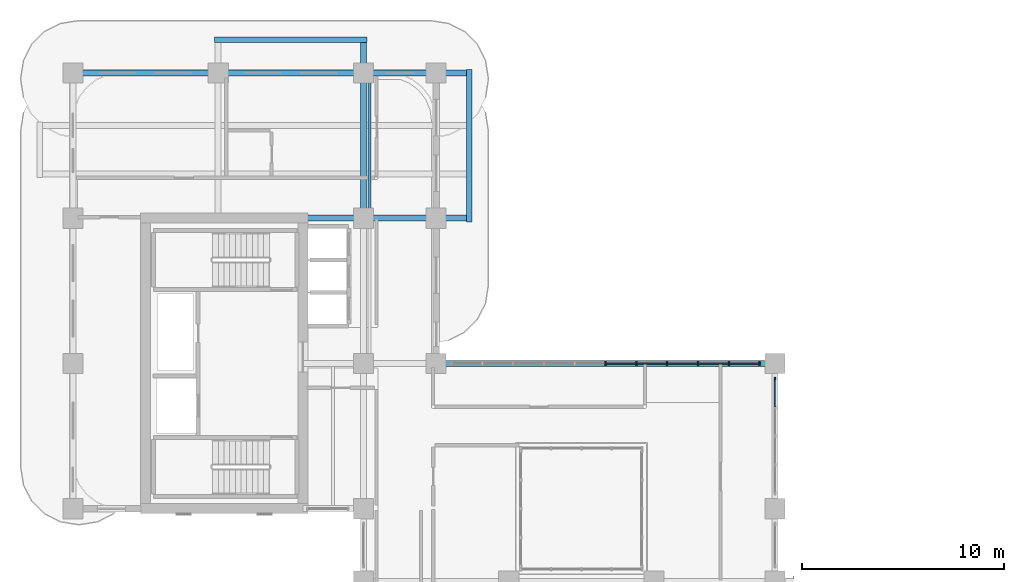
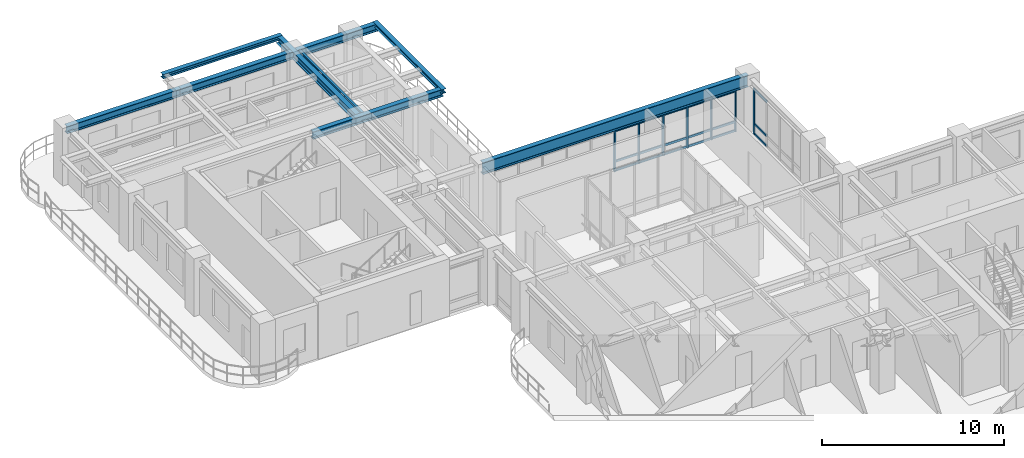
# One storey, part 6 of 21: 25 members, 8 beams, 2 elements without a shape of their own.
"""IFC4 building model written with IfcOpenShell, lengths in metres."""

from ifc_helpers import new_model, si_unit, derived_unit, direction, frame, origin, origin_2d, place, context, subcontext, project, spatial, rectangle, i_section, extrude, source, transform, mapped, material, layer, layer_set, material_profile, profile_set, type_object, type_shapes, element, aggregate, save


model = new_model("IFC4")

# Units and contexts
model_context = context("Model", 3, precision=1e-05, world=origin(), true_north=direction((0.0, 1.0)))
body_context = subcontext(model_context, "Body", "Model", "MODEL_VIEW")
ifc_project = project(units=[si_unit("LENGTHUNIT", "METRE"), si_unit("AREAUNIT", "SQUARE_METRE"), si_unit("VOLUMEUNIT", "CUBIC_METRE"), si_unit("PLANEANGLEUNIT", "RADIAN"), si_unit("MASSUNIT", "GRAM", prefix="KILO"), si_unit("THERMODYNAMICTEMPERATUREUNIT", "KELVIN"), si_unit("POWERUNIT", "WATT"), derived_unit("THERMALTRANSMITTANCEUNIT", [(si_unit("POWERUNIT", "WATT"), 1), (si_unit("AREAUNIT", "SQUARE_METRE"), -1), (si_unit("THERMODYNAMICTEMPERATUREUNIT", "KELVIN"), -1)])], contexts=[model_context])

# Site, building, storey
site_placement = place(None, origin())
site = spatial("IfcSite", under=ifc_project, at=site_placement, CompositionType="ELEMENT")
building_placement = place(site_placement, origin())
building = spatial("IfcBuilding", under=site, at=building_placement, Name="Zahravan Archway Hotel and Residences", CompositionType="ELEMENT")
storey_placement = place(building_placement, frame((0.0, 0.0, 169.550048828125)))
storey = spatial("IfcBuildingStorey", under=building, at=storey_placement, Name="L42", CompositionType="ELEMENT", Elevation=169.550048828125)

# Beams
ifc_material_1 = material(Name="Structural Steel S355JR", Category="steel")
ifc_material_profile_1 = material_profile(ifc_material_1, i_section(OverallWidth=0.280029296875, OverallDepth=0.280029296875, WebThickness=0.010498046875, FlangeThickness=0.01806640625, FilletRadius=0.02392578125, at=origin_2d()), Name="HEB 280", Category="steel")
ifc_profile_set_1 = profile_set([ifc_material_profile_1], Name="Structural Steel S355JR")
beam_type_1 = type_object("IfcBeamType", Name="BM-SPN-HEB280", PredefinedType="SPANDREL", material=ifc_profile_set_1)
shared_shape_1 = source(origin(), body_context, "Body", "SweptSolid", [
    extrude(i_section(OverallWidth=0.280029296875, OverallDepth=0.280029296875, WebThickness=0.010498046875, FlangeThickness=0.01806640625, FilletRadius=0.02392578125, at=origin_2d()), origin(), (0.0, 0.0, 1.0), 7.56005859375),
])
type_shapes(beam_type_1, [shared_shape_1])
for number, where, z_axis, x_axis, name in (
    (1, (19.64990234375, 39.419921875, 3.4599609375), (0.0, 1.0, 0.0), (-1.0, 0.0, 0.0), "L43 EB Balcony Edge Spandrel"),
    (2, (7.02001953125, 48.449951171875, 3.4599609375), (1.0, 0.0, 0.0), (0.0, 1.0, 0.0), "L43 NB Balcony Edge Spandrel"),
):
    element("IfcBeam", number, at=place(storey_placement, frame(where, z_axis=z_axis, x_axis=x_axis)), inside=storey, type_object=beam_type_1, Name=name, PredefinedType="SPANDREL", context=body_context, shape_type="MappedRepresentation", body=[
        mapped(shared_shape_1, transform((0.0, 0.0, 0.0), scale=1.0)),
    ])
ifc_material_2 = material(Name="Structural Steel S355J2", Category="steel")
ifc_material_profile_2 = material_profile(ifc_material_2, i_section(OverallWidth=0.300048828125, OverallDepth=0.800048828125, WebThickness=0.017578125, FlangeThickness=0.032958984375, FilletRadius=0.030029296875, at=origin_2d()), Name="HEB 800", Category="steel")
ifc_profile_set_2 = profile_set([ifc_material_profile_2], Name="Structural Steel S355J2")
beam_type_2 = type_object("IfcBeamType", Name="BM-PRI-HEB800", PredefinedType="BEAM", material=ifc_profile_set_2)
shared_shape_2 = source(origin(), body_context, "Body", "SweptSolid", [
    extrude(i_section(OverallWidth=0.300048828125, OverallDepth=0.800048828125, WebThickness=0.017578125, FlangeThickness=0.032958984375, FilletRadius=0.030029296875, at=origin_2d()), origin(), (0.0, 0.0, 1.0), 16.800048828125),
])
type_shapes(beam_type_2, [shared_shape_2])
beam_1_placement = place(storey_placement, frame((18.0, 32.39990234375, 3.199951171875), z_axis=(1.0, 0.0, 0.0), x_axis=(0.0, 1.0, 0.0)))
element("IfcBeam", 3, at=beam_1_placement, inside=storey, type_object=beam_type_2, Name="L42 Primary Girder EW-18", PredefinedType="BEAM", context=body_context, shape_type="MappedRepresentation", body=[
    mapped(shared_shape_2, transform((0.0, 0.0, 0.0), scale=1.0)),
])
ifc_material_profile_3 = material_profile(ifc_material_1, i_section(OverallWidth=0.300048828125, OverallDepth=0.5, WebThickness=0.014404296875, FlangeThickness=0.028076171875, FilletRadius=0.027099609375, at=origin_2d()), Name="HEB 500", Category="steel")
ifc_profile_set_3 = profile_set([ifc_material_profile_3], Name="Structural Steel S355JR")
beam_type_3 = type_object("IfcBeamType", Name="BM-PRI-HEB500", PredefinedType="BEAM", material=ifc_profile_set_3)
shared_shape_3 = source(origin(), body_context, "Body", "SweptSolid", [
    extrude(i_section(OverallWidth=0.300048828125, OverallDepth=0.5, WebThickness=0.014404296875, FlangeThickness=0.028076171875, FilletRadius=0.027099609375, at=origin_2d()), origin(), (0.0, 0.0, 1.0), 7.199951171875),
])
beam_2_placement = place(storey_placement, frame((0.0, 46.800048828125, 3.349853515625), z_axis=(1.0, 0.0, 0.0), x_axis=(0.0, 1.0, 0.0)))
element("IfcBeam", 4, at=beam_2_placement, inside=storey, type_object=beam_type_3, Name="L42 Primary Girder EW-20", PredefinedType="BEAM", context=body_context, shape_type="MappedRepresentation", body=[
    mapped(shared_shape_3, transform((0.0, 0.0, 0.0), scale=1.0)),
])
shared_shape_4 = source(origin(), body_context, "Body", "SweptSolid", [
    extrude(i_section(OverallWidth=0.300048828125, OverallDepth=0.5, WebThickness=0.014404296875, FlangeThickness=0.028076171875, FilletRadius=0.027099609375, at=origin_2d()), origin(), (0.0, 0.0, 1.0), 8.25),
])
beam_3_placement = place(storey_placement, frame((11.39990234375, 39.60009765625, 3.349853515625), z_axis=(1.0, 0.0, 0.0), x_axis=(0.0, 1.0, 0.0)))
element("IfcBeam", 5, at=beam_3_placement, inside=storey, type_object=beam_type_3, Name="L42 Primary Girder EW-19", PredefinedType="BEAM", context=body_context, shape_type="MappedRepresentation", body=[
    mapped(shared_shape_4, transform((0.0, 0.0, 0.0), scale=1.0)),
])
shared_shape_5 = source(origin(), body_context, "Body", "SweptSolid", [
    extrude(i_section(OverallWidth=0.300048828125, OverallDepth=0.5, WebThickness=0.014404296875, FlangeThickness=0.028076171875, FilletRadius=0.027099609375, at=origin_2d()), origin(), (0.0, 0.0, 1.0), 12.449951171875),
])
beam_4_placement = place(storey_placement, frame((7.199951171875, 46.800048828125, 3.349853515625), z_axis=(1.0, 0.0, 0.0), x_axis=(0.0, 1.0, 0.0)))
element("IfcBeam", 6, at=beam_4_placement, inside=storey, type_object=beam_type_3, Name="L42 Primary Girder EW-21", PredefinedType="BEAM", context=body_context, shape_type="MappedRepresentation", body=[
    mapped(shared_shape_5, transform((0.0, 0.0, 0.0), scale=1.0)),
])
shared_shape_6 = source(origin(), body_context, "Body", "SweptSolid", [
    extrude(i_section(OverallWidth=0.300048828125, OverallDepth=0.5, WebThickness=0.014404296875, FlangeThickness=0.028076171875, FilletRadius=0.027099609375, at=origin_2d()), origin(), (0.0, 0.0, 1.0), 8.849853515625),
])
beam_5_placement = place(storey_placement, frame((14.39990234375, 39.60009765625, 3.349853515625), z_axis=(0.0, 1.0, 0.0), x_axis=(-1.0, 0.0, 0.0)))
element("IfcBeam", 7, at=beam_5_placement, inside=storey, type_object=beam_type_3, Name="L42 Primary Girder NS-34", PredefinedType="BEAM", context=body_context, shape_type="MappedRepresentation", body=[
    mapped(shared_shape_6, transform((0.0, 0.0, 0.0), scale=1.0)),
])
ifc_material_profile_4 = material_profile(ifc_material_1, i_section(OverallWidth=0.14990234375, OverallDepth=0.300048828125, WebThickness=0.007080078125, FlangeThickness=0.0107421875, FilletRadius=0.014892578125, at=origin_2d()), Name="IPE 300", Category="steel")
ifc_profile_set_4 = profile_set([ifc_material_profile_4], Name="Structural Steel S355JR")
beam_type_4 = type_object("IfcBeamType", Name="BM-JST-IPE300", PredefinedType="JOIST", material=ifc_profile_set_4)
shared_shape_7 = source(origin(), body_context, "Body", "SweptSolid", [
    extrude(i_section(OverallWidth=0.14990234375, OverallDepth=0.300048828125, WebThickness=0.007080078125, FlangeThickness=0.0107421875, FilletRadius=0.014892578125, at=origin_2d()), origin(), (0.0, 0.0, 1.0), 6.904052734375),
])
type_shapes(beam_type_4, [shared_shape_7])
beam_6_placement = place(storey_placement, frame((14.699951171875, 39.748046875, 3.449951171875), z_axis=(0.0, 1.0, 0.0), x_axis=(-1.0, 0.0, 0.0)))
element("IfcBeam", 8, at=beam_6_placement, inside=storey, type_object=beam_type_4, Name="L42 Composite Floor Joist 12", PredefinedType="JOIST", context=body_context, shape_type="MappedRepresentation", body=[
    mapped(shared_shape_7, transform((0.0, 0.0, 0.0), scale=1.0)),
])

# Curtain wall, members
ifc_material_3 = material(Name="Bronze-Anodized Unitised Aluminium & Low-E Glass", Category="aluminium")
ifc_layer = layer(ifc_material_3, 0.179931640625, Name="Bronze-Anodized Unitised Aluminium & Low-E Glass", Category="aluminium")
ifc_layer_set = layer_set([ifc_layer], Name="Bronze-Anodized Unitised Aluminium & Low-E Glass")
curtain_wall_type = type_object("IfcCurtainWallType", Name="CW-ATR-GLAZ", PredefinedType="NOTDEFINED", material=ifc_layer_set)
curtain_wall_1_placement = place(storey_placement, origin())
curtain_wall_1 = element("IfcCurtainWall", 9, at=curtain_wall_1_placement, inside=storey, type_object=curtain_wall_type, Name="L42 Curtain Wall CW-L42-HNG-E-2", PredefinedType="NOTDEFINED")
ifc_material_4 = material(Name="Bronze-Anodized Extruded Aluminium", Category="aluminium")
ifc_material_profile_5 = material_profile(ifc_material_4, rectangle(XDim=0.080078125, YDim=0.139892578125, at=origin_2d()), Name="TRN 80x140", Category="aluminium")
ifc_profile_set_5 = profile_set([ifc_material_profile_5], Name="Bronze-Anodized Extruded Aluminium")
member_type_1 = type_object("IfcMemberType", Name="CWM-TRN-140", PredefinedType="USERDEFINED", material=ifc_profile_set_5)
shared_shape_8 = source(origin(), body_context, "Body", "SweptSolid", [
    extrude(rectangle(XDim=0.080078125, YDim=0.139892578125, at=origin_2d()), origin(), (0.0, 0.0, 1.0), 1.340087890625),
])
member_1_placement = place(storey_placement, frame((34.800048828125, 30.260009765625, 0.070068359375), z_axis=(0.0, 1.0, 0.0), x_axis=(-1.0, 0.0, 0.0)))
member_1 = element("IfcMember", 10, at=member_1_placement, type_object=member_type_1, Name="CW-L42-HNG-E-2 Transom 3-1", ObjectType="TRANSOM", PredefinedType="USERDEFINED", context=body_context, shape_type="MappedRepresentation", body=[
    mapped(shared_shape_8, transform((0.0, 0.0, 0.0), scale=1.0)),
])
member_2_placement = place(storey_placement, frame((34.800048828125, 30.260009765625, 0.740234375), z_axis=(0.0, 1.0, 0.0), x_axis=(-1.0, 0.0, 0.0)))
member_2 = element("IfcMember", 11, at=member_2_placement, type_object=member_type_1, Name="CW-L42-HNG-E-2 Transom 3-2", ObjectType="TRANSOM", PredefinedType="USERDEFINED", context=body_context, shape_type="MappedRepresentation", body=[
    mapped(shared_shape_8, transform((0.0, 0.0, 0.0), scale=1.0)),
])
member_3_placement = place(storey_placement, frame((34.800048828125, 30.260009765625, 3.014892578125), z_axis=(0.0, 1.0, 0.0), x_axis=(-1.0, 0.0, 0.0)))
member_3 = element("IfcMember", 12, at=member_3_placement, type_object=member_type_1, Name="CW-L42-HNG-E-2 Transom 3-3", ObjectType="TRANSOM", PredefinedType="USERDEFINED", context=body_context, shape_type="MappedRepresentation", body=[
    mapped(shared_shape_8, transform((0.0, 0.0, 0.0), scale=1.0)),
])

curtain_wall_2_placement = place(storey_placement, origin())
curtain_wall_2 = element("IfcCurtainWall", 13, at=curtain_wall_2_placement, inside=storey, type_object=curtain_wall_type, Name="L42 Curtain Wall CW-L42-HNG-N-1", PredefinedType="NOTDEFINED")
shared_shape_9 = source(origin(), body_context, "Body", "SweptSolid", [
    extrude(rectangle(XDim=0.080078125, YDim=0.139892578125, at=origin_2d()), origin(), (0.0, 0.0, 1.0), 1.447998046875),
])
member_4_placement = place(storey_placement, frame((26.43994140625, 32.39990234375, 0.070068359375), z_axis=(1.0, 0.0, 0.0), x_axis=(0.0, 1.0, 0.0)))
member_4 = element("IfcMember", 14, at=member_4_placement, type_object=member_type_1, Name="CW-L42-HNG-N-1 Transom 5-1", ObjectType="TRANSOM", PredefinedType="USERDEFINED", context=body_context, shape_type="MappedRepresentation", body=[
    mapped(shared_shape_9, transform((0.0, 0.0, 0.0), scale=1.0)),
])
member_5_placement = place(storey_placement, frame((26.43994140625, 32.39990234375, 0.66845703125), z_axis=(1.0, 0.0, 0.0), x_axis=(0.0, 1.0, 0.0)))
member_5 = element("IfcMember", 15, at=member_5_placement, type_object=member_type_1, Name="CW-L42-HNG-N-1 Transom 5-2", ObjectType="TRANSOM", PredefinedType="USERDEFINED", context=body_context, shape_type="MappedRepresentation", body=[
    mapped(shared_shape_9, transform((0.0, 0.0, 0.0), scale=1.0)),
])
member_6_placement = place(storey_placement, frame((26.43994140625, 32.39990234375, 2.71484375), z_axis=(1.0, 0.0, 0.0), x_axis=(0.0, 1.0, 0.0)))
member_6 = element("IfcMember", 16, at=member_6_placement, type_object=member_type_1, Name="CW-L42-HNG-N-1 Transom 5-3", ObjectType="TRANSOM", PredefinedType="USERDEFINED", context=body_context, shape_type="MappedRepresentation", body=[
    mapped(shared_shape_9, transform((0.0, 0.0, 0.0), scale=1.0)),
])
member_7_placement = place(storey_placement, frame((27.968017578125, 32.39990234375, 0.070068359375), z_axis=(1.0, 0.0, 0.0), x_axis=(0.0, 1.0, 0.0)))
member_7 = element("IfcMember", 17, at=member_7_placement, type_object=member_type_1, Name="CW-L42-HNG-N-1 Transom 6-1", ObjectType="TRANSOM", PredefinedType="USERDEFINED", context=body_context, shape_type="MappedRepresentation", body=[
    mapped(shared_shape_9, transform((0.0, 0.0, 0.0), scale=1.0)),
])
member_8_placement = place(storey_placement, frame((27.968017578125, 32.39990234375, 0.66845703125), z_axis=(1.0, 0.0, 0.0), x_axis=(0.0, 1.0, 0.0)))
member_8 = element("IfcMember", 18, at=member_8_placement, type_object=member_type_1, Name="CW-L42-HNG-N-1 Transom 6-2", ObjectType="TRANSOM", PredefinedType="USERDEFINED", context=body_context, shape_type="MappedRepresentation", body=[
    mapped(shared_shape_9, transform((0.0, 0.0, 0.0), scale=1.0)),
])
member_9_placement = place(storey_placement, frame((27.968017578125, 32.39990234375, 2.71484375), z_axis=(1.0, 0.0, 0.0), x_axis=(0.0, 1.0, 0.0)))
member_9 = element("IfcMember", 19, at=member_9_placement, type_object=member_type_1, Name="CW-L42-HNG-N-1 Transom 6-3", ObjectType="TRANSOM", PredefinedType="USERDEFINED", context=body_context, shape_type="MappedRepresentation", body=[
    mapped(shared_shape_9, transform((0.0, 0.0, 0.0), scale=1.0)),
])
member_10_placement = place(storey_placement, frame((29.49609375, 32.39990234375, 0.070068359375), z_axis=(1.0, 0.0, 0.0), x_axis=(0.0, 1.0, 0.0)))
member_10 = element("IfcMember", 20, at=member_10_placement, type_object=member_type_1, Name="CW-L42-HNG-N-1 Transom 7-1", ObjectType="TRANSOM", PredefinedType="USERDEFINED", context=body_context, shape_type="MappedRepresentation", body=[
    mapped(shared_shape_9, transform((0.0, 0.0, 0.0), scale=1.0)),
])
member_11_placement = place(storey_placement, frame((29.49609375, 32.39990234375, 0.66845703125), z_axis=(1.0, 0.0, 0.0), x_axis=(0.0, 1.0, 0.0)))
member_11 = element("IfcMember", 21, at=member_11_placement, type_object=member_type_1, Name="CW-L42-HNG-N-1 Transom 7-2", ObjectType="TRANSOM", PredefinedType="USERDEFINED", context=body_context, shape_type="MappedRepresentation", body=[
    mapped(shared_shape_9, transform((0.0, 0.0, 0.0), scale=1.0)),
])
member_12_placement = place(storey_placement, frame((29.49609375, 32.39990234375, 2.71484375), z_axis=(1.0, 0.0, 0.0), x_axis=(0.0, 1.0, 0.0)))
member_12 = element("IfcMember", 22, at=member_12_placement, type_object=member_type_1, Name="CW-L42-HNG-N-1 Transom 7-3", ObjectType="TRANSOM", PredefinedType="USERDEFINED", context=body_context, shape_type="MappedRepresentation", body=[
    mapped(shared_shape_9, transform((0.0, 0.0, 0.0), scale=1.0)),
])
member_13_placement = place(storey_placement, frame((31.02392578125, 32.39990234375, 0.070068359375), z_axis=(1.0, 0.0, 0.0), x_axis=(0.0, 1.0, 0.0)))
member_13 = element("IfcMember", 23, at=member_13_placement, type_object=member_type_1, Name="CW-L42-HNG-N-1 Transom 8-1", ObjectType="TRANSOM", PredefinedType="USERDEFINED", context=body_context, shape_type="MappedRepresentation", body=[
    mapped(shared_shape_9, transform((0.0, 0.0, 0.0), scale=1.0)),
])
member_14_placement = place(storey_placement, frame((31.02392578125, 32.39990234375, 0.66845703125), z_axis=(1.0, 0.0, 0.0), x_axis=(0.0, 1.0, 0.0)))
member_14 = element("IfcMember", 24, at=member_14_placement, type_object=member_type_1, Name="CW-L42-HNG-N-1 Transom 8-2", ObjectType="TRANSOM", PredefinedType="USERDEFINED", context=body_context, shape_type="MappedRepresentation", body=[
    mapped(shared_shape_9, transform((0.0, 0.0, 0.0), scale=1.0)),
])
member_15_placement = place(storey_placement, frame((31.02392578125, 32.39990234375, 2.71484375), z_axis=(1.0, 0.0, 0.0), x_axis=(0.0, 1.0, 0.0)))
member_15 = element("IfcMember", 25, at=member_15_placement, type_object=member_type_1, Name="CW-L42-HNG-N-1 Transom 8-3", ObjectType="TRANSOM", PredefinedType="USERDEFINED", context=body_context, shape_type="MappedRepresentation", body=[
    mapped(shared_shape_9, transform((0.0, 0.0, 0.0), scale=1.0)),
])
member_16_placement = place(storey_placement, frame((32.552001953125, 32.39990234375, 0.070068359375), z_axis=(1.0, 0.0, 0.0), x_axis=(0.0, 1.0, 0.0)))
member_16 = element("IfcMember", 26, at=member_16_placement, type_object=member_type_1, Name="CW-L42-HNG-N-1 Transom 9-1", ObjectType="TRANSOM", PredefinedType="USERDEFINED", context=body_context, shape_type="MappedRepresentation", body=[
    mapped(shared_shape_9, transform((0.0, 0.0, 0.0), scale=1.0)),
])
member_17_placement = place(storey_placement, frame((32.552001953125, 32.39990234375, 0.66845703125), z_axis=(1.0, 0.0, 0.0), x_axis=(0.0, 1.0, 0.0)))
member_17 = element("IfcMember", 27, at=member_17_placement, type_object=member_type_1, Name="CW-L42-HNG-N-1 Transom 9-2", ObjectType="TRANSOM", PredefinedType="USERDEFINED", context=body_context, shape_type="MappedRepresentation", body=[
    mapped(shared_shape_9, transform((0.0, 0.0, 0.0), scale=1.0)),
])
member_18_placement = place(storey_placement, frame((32.552001953125, 32.39990234375, 2.71484375), z_axis=(1.0, 0.0, 0.0), x_axis=(0.0, 1.0, 0.0)))
member_18 = element("IfcMember", 28, at=member_18_placement, type_object=member_type_1, Name="CW-L42-HNG-N-1 Transom 9-3", ObjectType="TRANSOM", PredefinedType="USERDEFINED", context=body_context, shape_type="MappedRepresentation", body=[
    mapped(shared_shape_9, transform((0.0, 0.0, 0.0), scale=1.0)),
])

# Member
ifc_material_profile_6 = material_profile(ifc_material_4, rectangle(XDim=0.080078125, YDim=0.159912109375, at=origin_2d()), Name="MUL 80x160", Category="aluminium")
ifc_profile_set_6 = profile_set([ifc_material_profile_6], Name="Bronze-Anodized Extruded Aluminium")
member_type_2 = type_object("IfcMemberType", Name="CWM-MUL-160", PredefinedType="MULLION", material=ifc_profile_set_6)
shared_shape_10 = source(origin(), body_context, "Body", "SweptSolid", [
    extrude(rectangle(XDim=0.080078125, YDim=0.159912109375, at=origin_2d()), origin(), (0.0, 0.0, 1.0), 3.0849609375),
])
member_19_placement = place(storey_placement, frame((34.800048828125, 31.639892578125, 0.0), z_axis=(0.0, 0.0, 1.0), x_axis=(1.0, 0.0, 0.0)))
member_19 = element("IfcMember", 29, at=member_19_placement, type_object=member_type_2, Name="CW-L42-HNG-E-2 Mullion 4", PredefinedType="MULLION", context=body_context, shape_type="MappedRepresentation", body=[
    mapped(shared_shape_10, transform((0.0, 0.0, 0.0), scale=1.0)),
])

aggregate(curtain_wall_1, [member_19, member_1, member_2, member_3])

shared_shape_11 = source(origin(), body_context, "Body", "SweptSolid", [
    extrude(rectangle(XDim=0.080078125, YDim=0.159912109375, at=origin_2d()), origin(), (0.0, 0.0, 1.0), 2.784912109375),
])
member_20_placement = place(storey_placement, frame((26.39990234375, 32.39990234375, 0.0), z_axis=(0.0, 0.0, 1.0), x_axis=(1.0, 0.0, 0.0)))
member_20 = element("IfcMember", 30, at=member_20_placement, type_object=member_type_2, Name="CW-L42-HNG-N-1 Mullion 5", PredefinedType="MULLION", context=body_context, shape_type="MappedRepresentation", body=[
    mapped(shared_shape_11, transform((0.0, 0.0, 0.0), scale=1.0)),
])

member_21_placement = place(storey_placement, frame((27.927978515625, 32.39990234375, 0.0), z_axis=(0.0, 0.0, 1.0), x_axis=(1.0, 0.0, 0.0)))
member_21 = element("IfcMember", 31, at=member_21_placement, type_object=member_type_2, Name="CW-L42-HNG-N-1 Mullion 6", PredefinedType="MULLION", context=body_context, shape_type="MappedRepresentation", body=[
    mapped(shared_shape_11, transform((0.0, 0.0, 0.0), scale=1.0)),
])

member_22_placement = place(storey_placement, frame((29.4560546875, 32.39990234375, 0.0), z_axis=(0.0, 0.0, 1.0), x_axis=(1.0, 0.0, 0.0)))
member_22 = element("IfcMember", 32, at=member_22_placement, type_object=member_type_2, Name="CW-L42-HNG-N-1 Mullion 7", PredefinedType="MULLION", context=body_context, shape_type="MappedRepresentation", body=[
    mapped(shared_shape_11, transform((0.0, 0.0, 0.0), scale=1.0)),
])

member_23_placement = place(storey_placement, frame((30.98388671875, 32.39990234375, 0.0), z_axis=(0.0, 0.0, 1.0), x_axis=(1.0, 0.0, 0.0)))
member_23 = element("IfcMember", 33, at=member_23_placement, type_object=member_type_2, Name="CW-L42-HNG-N-1 Mullion 8", PredefinedType="MULLION", context=body_context, shape_type="MappedRepresentation", body=[
    mapped(shared_shape_11, transform((0.0, 0.0, 0.0), scale=1.0)),
])

member_24_placement = place(storey_placement, frame((32.511962890625, 32.39990234375, 0.0), z_axis=(0.0, 0.0, 1.0), x_axis=(1.0, 0.0, 0.0)))
member_24 = element("IfcMember", 34, at=member_24_placement, type_object=member_type_2, Name="CW-L42-HNG-N-1 Mullion 9", PredefinedType="MULLION", context=body_context, shape_type="MappedRepresentation", body=[
    mapped(shared_shape_11, transform((0.0, 0.0, 0.0), scale=1.0)),
])

member_25_placement = place(storey_placement, frame((34.0400390625, 32.39990234375, 0.0), z_axis=(0.0, 0.0, 1.0), x_axis=(1.0, 0.0, 0.0)))
member_25 = element("IfcMember", 35, at=member_25_placement, type_object=member_type_2, Name="CW-L42-HNG-N-1 Mullion 10", PredefinedType="MULLION", context=body_context, shape_type="MappedRepresentation", body=[
    mapped(shared_shape_11, transform((0.0, 0.0, 0.0), scale=1.0)),
])

aggregate(curtain_wall_2, [member_20, member_21, member_22, member_23, member_24, member_25, member_4, member_5, member_6, member_7, member_8, member_9, member_10, member_11, member_12, member_13, member_14, member_15, member_16, member_17, member_18])

save(model, "model.ifc")
